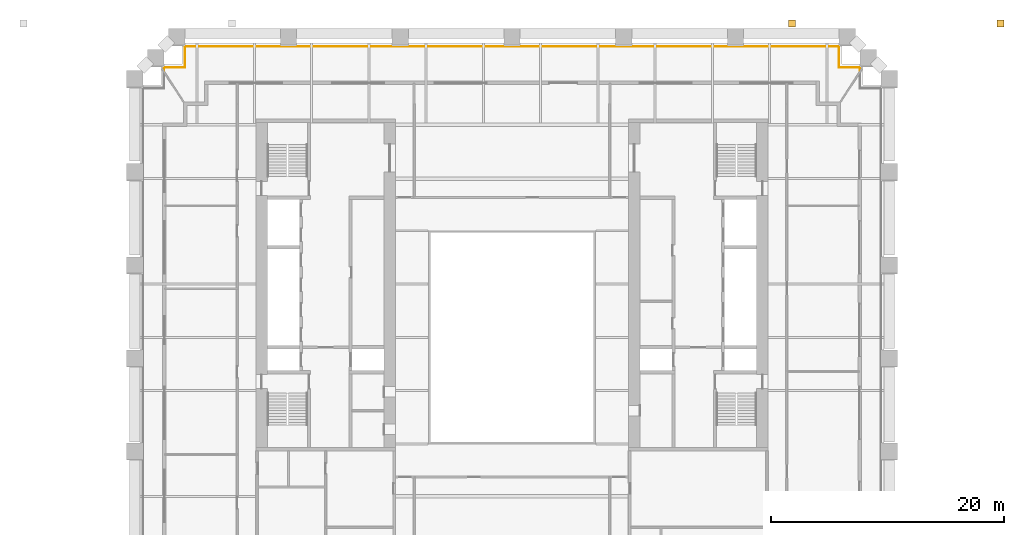
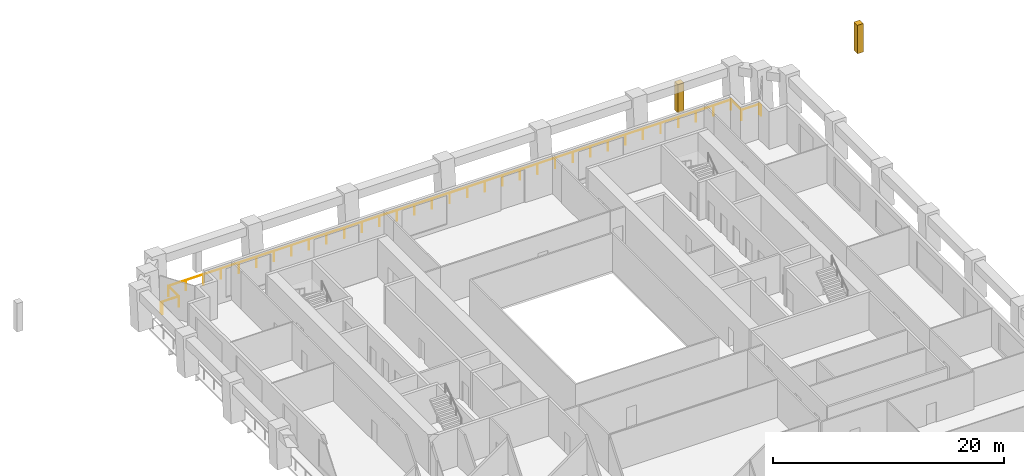
# One storey, part 10 of 10: 2 coverings, 1 railing.
"""IFC4 building model written with IfcOpenShell, lengths in metres."""

import ifcopenshell
import ifcopenshell.guid

model = None  # the IFC model being written
_history = None  # IfcOwnerHistory: only IFC2X3 demands one
_inside = {}  # id of a spatial element -> (the spatial element, [elements in it])
_under = {}  # id of a project, library or spatial element -> (it, [spatial elements below it])
_declared = {}  # id of a project -> (the project, [libraries it declares])
_typed = {}  # id of a type object -> (the type object, [elements of that type])
_made_of = {}  # id of a material, layer set ... -> (it, [elements and type objects made of it])


def new_model(schema):
    """Start an empty IFC model of exactly this schema.

    Asked for "IFC4X3", IfcOpenShell would pick the latest addendum, in which some entities
    have other attributes; the version numbers below select the first issue.
    IFC2X3 requires an IfcOwnerHistory on every rooted entity: one is made here for all.
    """
    global model, _history
    if schema == "IFC4X3":
        model = ifcopenshell.file(schema_version=(4, 3, 0, 0))
    else:
        model = ifcopenshell.file(schema=schema)
    _inside.clear()
    _under.clear()
    _declared.clear()
    _typed.clear()
    _made_of.clear()
    _history = None
    if model.schema == "IFC2X3":
        org = make("IfcOrganization", Name="unknown")
        user = make(
            "IfcPersonAndOrganization",
            ThePerson=make("IfcPerson", FamilyName="unknown"),
            TheOrganization=org,
        )
        app = make(
            "IfcApplication",
            ApplicationDeveloper=org,
            Version="unknown",
            ApplicationFullName="unknown",
            ApplicationIdentifier="unknown",
        )
        _history = make(
            "IfcOwnerHistory",
            OwningUser=user,
            OwningApplication=app,
            ChangeAction="ADDED",
            CreationDate=0,
        )
    return model


def make(cls, **values):
    """One entity of the class cls with the attributes given. An attribute that is None is left unset."""
    return model.create_entity(
        cls, **{name: value for name, value in values.items() if value is not None}
    )


def rooted(cls, **values):
    """An entity with a GlobalId (a new one), such as an element, a storey or a relation."""
    return make(cls, GlobalId=ifcopenshell.guid.new(), OwnerHistory=_history, **values)


def si_unit(unit_type, name, prefix=None):
    """IfcSIUnit, for example si_unit("LENGTHUNIT", "METRE", prefix="MILLI")."""
    return make("IfcSIUnit", UnitType=unit_type, Prefix=prefix, Name=name)


def assignment(units):
    """IfcUnitAssignment: the units of a project."""
    return None if units is None else make("IfcUnitAssignment", Units=units)


def point(xyz):
    """IfcCartesianPoint."""
    return None if xyz is None else make("IfcCartesianPoint", Coordinates=xyz)


def direction(xyz):
    """IfcDirection."""
    return None if xyz is None else make("IfcDirection", DirectionRatios=xyz)


def frame(location, z_axis=None, x_axis=None):
    """IfcAxis2Placement3D, a coordinate frame: its origin and axes. An axis left out is left unset."""
    return make(
        "IfcAxis2Placement3D",
        Location=point(location),
        Axis=direction(z_axis),
        RefDirection=direction(x_axis),
    )


def frame_2d(location, x_axis=None):
    """IfcAxis2Placement2D, a coordinate frame in the plane: its origin and x axis."""
    return make(
        "IfcAxis2Placement2D", Location=point(location), RefDirection=direction(x_axis)
    )


def origin():
    """The frame at (0, 0, 0) with its axes left unset."""
    return frame((0.0, 0.0, 0.0))


def origin_2d():
    """The frame at (0, 0) in the plane with its x axis left unset."""
    return frame_2d((0.0, 0.0))


def place(relative_to, where):
    """IfcLocalPlacement: puts the frame where relative to a parent placement (None: the world)."""
    return make(
        "IfcLocalPlacement", PlacementRelTo=relative_to, RelativePlacement=where
    )


def context(
    kind, dimensions, precision=None, world=None, true_north=None, identifier=None
):
    """IfcGeometricRepresentationContext, for example the 3D "Model" context."""
    return make(
        "IfcGeometricRepresentationContext",
        ContextIdentifier=identifier,
        ContextType=kind,
        CoordinateSpaceDimension=dimensions,
        Precision=precision,
        WorldCoordinateSystem=world,
        TrueNorth=true_north,
    )


def subcontext(parent, identifier, kind, view, scale=None):
    """IfcGeometricRepresentationSubContext, for example "Body" below "Model"."""
    return make(
        "IfcGeometricRepresentationSubContext",
        ContextIdentifier=identifier,
        ContextType=kind,
        ParentContext=parent,
        TargetScale=scale,
        TargetView=view,
    )


def project(units=None, contexts=None):
    """IfcProject with its units and contexts."""
    return rooted(
        "IfcProject",
        Name="project",
        RepresentationContexts=contexts,
        UnitsInContext=assignment(units),
    )


def spatial(cls, under=None, at=None, **own):
    """A site, building, storey or space (cls), placed at a placement, below another one or the project."""
    s = rooted(cls, ObjectPlacement=at, **own)
    if under is not None:
        _under.setdefault(under.id(), (under, []))[1].append(s)
    return s


def profile(cls, at=None, kind="AREA", **sizes):
    """A parametric profile (cls). Its sizes go by their IFC names, for example OverallWidth=200.0."""
    return make(cls, ProfileType=kind, Position=at, **sizes)


def rectangle(**sizes):
    """IfcRectangleProfileDef."""
    return profile("IfcRectangleProfileDef", **sizes)


def circle(**sizes):
    """IfcCircleProfileDef."""
    return profile("IfcCircleProfileDef", **sizes)


def extrude(swept, where, along, depth):
    """IfcExtrudedAreaSolid: the profile swept, set in the frame where, extruded along a direction by depth."""
    return make(
        "IfcExtrudedAreaSolid",
        SweptArea=swept,
        Position=where,
        ExtrudedDirection=direction(along),
        Depth=depth,
    )


def shape(context_of_items, identifier, shape_type, items):
    """IfcShapeRepresentation: the items that make up one representation, for example the "Body"."""
    return make(
        "IfcShapeRepresentation",
        ContextOfItems=context_of_items,
        RepresentationIdentifier=identifier,
        RepresentationType=shape_type,
        Items=items,
    )


def material(Name=None, Category=None):
    """IfcMaterial."""
    return make("IfcMaterial", Name=Name, Category=Category)


def material_profile(
    of_material, cross_section, Name=None, Category=None, Priority=None
):
    """IfcMaterialProfile: a cross section and its material."""
    return make(
        "IfcMaterialProfile",
        Name=Name,
        Material=of_material,
        Profile=cross_section,
        Priority=Priority,
        Category=Category,
    )


def profile_set(profiles, Name=None, composite=None):
    """IfcMaterialProfileSet."""
    return make(
        "IfcMaterialProfileSet",
        Name=Name,
        MaterialProfiles=profiles,
        CompositeProfile=composite,
    )


def made_of(thing, what):
    """Note that an element or type object is made of a material, layer set ...; save() writes the relation."""
    if what is not None:
        _made_of.setdefault(what.id(), (what, []))[1].append(thing)
    return thing


def type_object(cls, material=None, **own):
    """A type object (cls), such as IfcWallType, which elements share."""
    return made_of(rooted(cls, **own), material)


def element(
    cls,
    number,
    at=None,
    inside=None,
    cuts=None,
    type_object=None,
    material=None,
    context=None,
    identifier="Body",
    shape_type=None,
    held_by="IfcProductDefinitionShape",
    body=None,
    shapes=None,
    **own,
):
    """One element of the class cls, such as IfcWall. Its Tag is "e" and its number.

    at: its placement. inside: the storey or other place that contains it. cuts: it is an
    opening in that element (IfcRelVoidsElement). A single representation is given by context,
    identifier, shape_type and body (its items); several are given by shapes. held_by: the class
    of the entity that holds the representations. save() writes the other relations.
    """
    e = rooted(cls, Tag="e%d" % number, ObjectPlacement=at, **own)
    if body is not None:
        shapes = [shape(context, identifier, shape_type, body)]
    if shapes is not None:
        e.Representation = make(held_by, Representations=shapes)
    if inside is not None:
        _inside.setdefault(inside.id(), (inside, []))[1].append(e)
    if cuts is not None:
        rooted(
            "IfcRelVoidsElement", RelatingBuildingElement=cuts, RelatedOpeningElement=e
        )
    if type_object is not None:
        _typed.setdefault(type_object.id(), (type_object, []))[1].append(e)
    return made_of(e, material)


def aggregate(whole, parts):
    """IfcRelAggregates: a whole, such as a stair, and the parts it consists of."""
    return rooted("IfcRelAggregates", RelatingObject=whole, RelatedObjects=parts)


def save(model, path):
    """Write the relations noted so far, then the file.

    IfcRelAggregates (storeys below a building ...), IfcRelContainedInSpatialStructure (elements
    in a storey), IfcRelDefinesByType, IfcRelAssociatesMaterial and IfcRelDeclares: one each for
    every whole, place, type object, material and project.
    """
    for whole, parts in _under.values():
        aggregate(whole, parts)
    for where, things in _inside.values():
        rooted(
            "IfcRelContainedInSpatialStructure",
            RelatedElements=things,
            RelatingStructure=where,
        )
    for kind, things in _typed.values():
        rooted("IfcRelDefinesByType", RelatedObjects=things, RelatingType=kind)
    for what, things in _made_of.values():
        rooted("IfcRelAssociatesMaterial", RelatedObjects=things, RelatingMaterial=what)
    for by, libraries in _declared.values():
        rooted("IfcRelDeclares", RelatingContext=by, RelatedDefinitions=libraries)
    model.write(path)


model = new_model("IFC4")

# Units and contexts
model_context = context("Model", 3, precision=1e-05, world=origin(), true_north=direction((0.0, 1.0)))
body_context = subcontext(model_context, "Body", "Model", "MODEL_VIEW")
ifc_project = project(units=[si_unit("LENGTHUNIT", "METRE"), si_unit("AREAUNIT", "SQUARE_METRE"), si_unit("VOLUMEUNIT", "CUBIC_METRE"), si_unit("PLANEANGLEUNIT", "RADIAN"), si_unit("MASSUNIT", "GRAM", prefix="KILO")], contexts=[model_context])

# Site, building, storey
site_placement = place(None, origin())
site = spatial("IfcSite", under=ifc_project, at=site_placement, CompositionType="ELEMENT")
building_placement = place(site_placement, origin())
building = spatial("IfcBuilding", under=site, at=building_placement, Name="Ogive Exchange Tower", CompositionType="ELEMENT")
storey_placement = place(building_placement, frame((0.0, 0.0, 48.0)))
storey = spatial("IfcBuildingStorey", under=building, at=storey_placement, Name="L09", CompositionType="ELEMENT", Elevation=48.0)

# Railing
ifc_material_1 = material(Name="Stainless steel 316", Category="steel")
railing_type = type_object("IfcRailingType", Name="Guard 1100 stainless steel and glass", PredefinedType="GUARDRAIL", material=ifc_material_1)
railing_placement = place(storey_placement, frame((-29.8798828125, 29.916015625, -0.050048828125)))
element("IfcRailing", 1, at=railing_placement, inside=storey, type_object=railing_type, Name="Loggia guard 3", PredefinedType="GUARDRAIL", context=body_context, shape_type="SweptSolid", body=[
    extrude(circle(Radius=0.02392578125, at=origin_2d()), frame((0.0, 0.0, 1.076171875), z_axis=(0.0, 1.0, 0.0), x_axis=(-1.0, 0.0, 0.0)), (0.0, 0.0, 1.0), 0.273193359375),
    extrude(circle(Radius=0.02392578125, at=origin_2d()), frame((0.0, 0.273193359375, 1.076171875), z_axis=(1.0, 0.0, 0.0), x_axis=(0.0, 1.0, 0.0)), (0.0, 0.0, 1.0), 1.7998046875),
    extrude(circle(Radius=0.02392578125, at=origin_2d()), frame((1.7998046875, 0.273193359375, 1.076171875), z_axis=(0.0, 1.0, 0.0), x_axis=(-1.0, 0.0, 0.0)), (0.0, 0.0, 1.0), 1.7998046875),
    extrude(circle(Radius=0.02392578125, at=origin_2d()), frame((1.7998046875, 2.072998046875, 1.076171875), z_axis=(1.0, 0.0, 0.0), x_axis=(0.0, 1.0, 0.0)), (0.0, 0.0, 1.0), 56.16015625),
    extrude(circle(Radius=0.02392578125, at=origin_2d()), frame((57.9599609375, 2.072998046875, 1.076171875), z_axis=(0.0, -1.0, 0.0), x_axis=(1.0, 0.0, 0.0)), (0.0, 0.0, 1.0), 1.7998046875),
    extrude(circle(Radius=0.02392578125, at=origin_2d()), frame((57.9599609375, 0.273193359375, 1.076171875), z_axis=(1.0, 0.0, 0.0), x_axis=(0.0, 1.0, 0.0)), (0.0, 0.0, 1.0), 1.7998046875),
    extrude(circle(Radius=0.02392578125, at=origin_2d()), frame((59.759765625, 0.273193359375, 1.076171875), z_axis=(0.0, -1.0, 0.0), x_axis=(1.0, 0.0, 0.0)), (0.0, 0.0, 1.0), 0.273193359375),
    extrude(circle(Radius=0.02099609375, at=origin_2d()), origin(), (0.0, 0.0, 1.0), 1.052001953125),
    extrude(circle(Radius=0.02099609375, at=origin_2d()), frame((0.0, 0.273193359375, 0.0)), (0.0, 0.0, 1.0), 1.052001953125),
    extrude(circle(Radius=0.02099609375, at=origin_2d()), frame((1.7998046875, 0.273193359375, 0.0)), (0.0, 0.0, 1.0), 1.052001953125),
    extrude(circle(Radius=0.02099609375, at=origin_2d()), frame((1.7998046875, 2.072998046875, 0.0)), (0.0, 0.0, 1.0), 1.052001953125),
    extrude(circle(Radius=0.02099609375, at=origin_2d()), frame((3.5546875, 2.072998046875, 0.0)), (0.0, 0.0, 1.0), 1.052001953125),
    extrude(circle(Radius=0.02099609375, at=origin_2d()), frame((5.309814453125, 2.072998046875, 0.0)), (0.0, 0.0, 1.0), 1.052001953125),
    extrude(circle(Radius=0.02099609375, at=origin_2d()), frame((7.06494140625, 2.072998046875, 0.0)), (0.0, 0.0, 1.0), 1.052001953125),
    extrude(circle(Radius=0.02099609375, at=origin_2d()), frame((8.81982421875, 2.072998046875, 0.0)), (0.0, 0.0, 1.0), 1.052001953125),
    extrude(circle(Radius=0.02099609375, at=origin_2d()), frame((10.57470703125, 2.072998046875, 0.0)), (0.0, 0.0, 1.0), 1.052001953125),
    extrude(circle(Radius=0.02099609375, at=origin_2d()), frame((12.329833984375, 2.072998046875, 0.0)), (0.0, 0.0, 1.0), 1.052001953125),
    extrude(circle(Radius=0.02099609375, at=origin_2d()), frame((14.0849609375, 2.072998046875, 0.0)), (0.0, 0.0, 1.0), 1.052001953125),
    extrude(circle(Radius=0.02099609375, at=origin_2d()), frame((15.83984375, 2.072998046875, 0.0)), (0.0, 0.0, 1.0), 1.052001953125),
    extrude(circle(Radius=0.02099609375, at=origin_2d()), frame((17.5947265625, 2.072998046875, 0.0)), (0.0, 0.0, 1.0), 1.052001953125),
    extrude(circle(Radius=0.02099609375, at=origin_2d()), frame((19.349853515625, 2.072998046875, 0.0)), (0.0, 0.0, 1.0), 1.052001953125),
    extrude(circle(Radius=0.02099609375, at=origin_2d()), frame((21.10498046875, 2.072998046875, 0.0)), (0.0, 0.0, 1.0), 1.052001953125),
    extrude(circle(Radius=0.02099609375, at=origin_2d()), frame((22.85986328125, 2.072998046875, 0.0)), (0.0, 0.0, 1.0), 1.052001953125),
    extrude(circle(Radius=0.02099609375, at=origin_2d()), frame((24.61474609375, 2.072998046875, 0.0)), (0.0, 0.0, 1.0), 1.052001953125),
    extrude(circle(Radius=0.02099609375, at=origin_2d()), frame((26.369873046875, 2.072998046875, 0.0)), (0.0, 0.0, 1.0), 1.052001953125),
    extrude(circle(Radius=0.02099609375, at=origin_2d()), frame((28.125, 2.072998046875, 0.0)), (0.0, 0.0, 1.0), 1.052001953125),
    extrude(circle(Radius=0.02099609375, at=origin_2d()), frame((29.8798828125, 2.072998046875, 0.0)), (0.0, 0.0, 1.0), 1.052001953125),
    extrude(circle(Radius=0.02099609375, at=origin_2d()), frame((31.634765625, 2.072998046875, 0.0)), (0.0, 0.0, 1.0), 1.052001953125),
    extrude(circle(Radius=0.02099609375, at=origin_2d()), frame((33.389892578125, 2.072998046875, 0.0)), (0.0, 0.0, 1.0), 1.052001953125),
    extrude(circle(Radius=0.02099609375, at=origin_2d()), frame((35.14501953125, 2.072998046875, 0.0)), (0.0, 0.0, 1.0), 1.052001953125),
    extrude(circle(Radius=0.02099609375, at=origin_2d()), frame((36.89990234375, 2.072998046875, 0.0)), (0.0, 0.0, 1.0), 1.052001953125),
    extrude(circle(Radius=0.02099609375, at=origin_2d()), frame((38.65478515625, 2.072998046875, 0.0)), (0.0, 0.0, 1.0), 1.052001953125),
    extrude(circle(Radius=0.02099609375, at=origin_2d()), frame((40.409912109375, 2.072998046875, 0.0)), (0.0, 0.0, 1.0), 1.052001953125),
    extrude(circle(Radius=0.02099609375, at=origin_2d()), frame((42.1650390625, 2.072998046875, 0.0)), (0.0, 0.0, 1.0), 1.052001953125),
    extrude(circle(Radius=0.02099609375, at=origin_2d()), frame((43.919921875, 2.072998046875, 0.0)), (0.0, 0.0, 1.0), 1.052001953125),
    extrude(circle(Radius=0.02099609375, at=origin_2d()), frame((45.6748046875, 2.072998046875, 0.0)), (0.0, 0.0, 1.0), 1.052001953125),
    extrude(circle(Radius=0.02099609375, at=origin_2d()), frame((47.429931640625, 2.072998046875, 0.0)), (0.0, 0.0, 1.0), 1.052001953125),
    extrude(circle(Radius=0.02099609375, at=origin_2d()), frame((49.18505859375, 2.072998046875, 0.0)), (0.0, 0.0, 1.0), 1.052001953125),
    extrude(circle(Radius=0.02099609375, at=origin_2d()), frame((50.93994140625, 2.072998046875, 0.0)), (0.0, 0.0, 1.0), 1.052001953125),
    extrude(circle(Radius=0.02099609375, at=origin_2d()), frame((52.69482421875, 2.072998046875, 0.0)), (0.0, 0.0, 1.0), 1.052001953125),
    extrude(circle(Radius=0.02099609375, at=origin_2d()), frame((54.449951171875, 2.072998046875, 0.0)), (0.0, 0.0, 1.0), 1.052001953125),
    extrude(circle(Radius=0.02099609375, at=origin_2d()), frame((56.205078125, 2.072998046875, 0.0)), (0.0, 0.0, 1.0), 1.052001953125),
    extrude(circle(Radius=0.02099609375, at=origin_2d()), frame((57.9599609375, 2.072998046875, 0.0)), (0.0, 0.0, 1.0), 1.052001953125),
    extrude(circle(Radius=0.02099609375, at=origin_2d()), frame((57.9599609375, 0.273193359375, 0.0)), (0.0, 0.0, 1.0), 1.052001953125),
    extrude(circle(Radius=0.02099609375, at=origin_2d()), frame((59.759765625, 0.273193359375, 0.0)), (0.0, 0.0, 1.0), 1.052001953125),
    extrude(circle(Radius=0.02099609375, at=origin_2d()), frame((59.759765625, 0.0, 0.0)), (0.0, 0.0, 1.0), 1.052001953125),
])

# Coverings
ifc_material_2 = material(Name="Precast concrete C50/60", Category="concrete")
ifc_material_profile = material_profile(ifc_material_2, rectangle(XDim=0.60009765625, YDim=0.60009765625, at=origin_2d()), Name="CORNER TURRET 4 600 x 600")
ifc_profile_set = profile_set([ifc_material_profile], Name="Precast concrete C50/60")
covering_type = type_object("IfcCoveringType", Name="Precast corner turret stage 4 600 x 600 C50/60", PredefinedType="CLADDING", material=ifc_profile_set)
for number, where, z_axis, x_axis, name in (
    (2, (41.949951171875, 33.949951171875, 0.10009765625), (0.0, 0.0, 1.0), (1.0, 0.0, 0.0), "Corner turret 1 stage 4"),
    (3, (24.050048828125, 33.949951171875, 0.10009765625), (0.0, 0.0, 1.0), (1.0, 0.0, 0.0), "Corner turret 2 stage 4"),
):
    element("IfcCovering", number, at=place(storey_placement, frame(where, z_axis=z_axis, x_axis=x_axis)), inside=storey, type_object=covering_type, Name=name, PredefinedType="CLADDING", context=body_context, shape_type="SweptSolid", body=[
        extrude(rectangle(XDim=0.60009765625, YDim=0.60009765625, at=origin_2d()), origin(), (0.0, 0.0, 1.0), 3.0),
    ])

save(model, "model.ifc")
